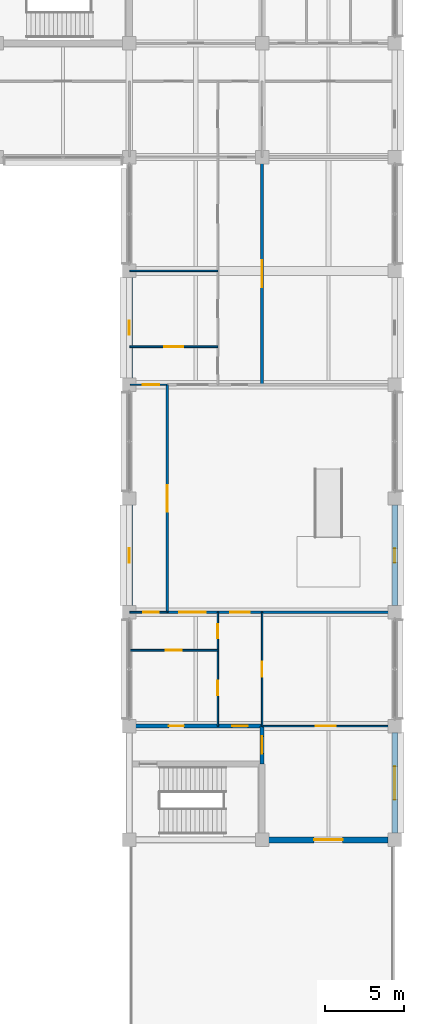
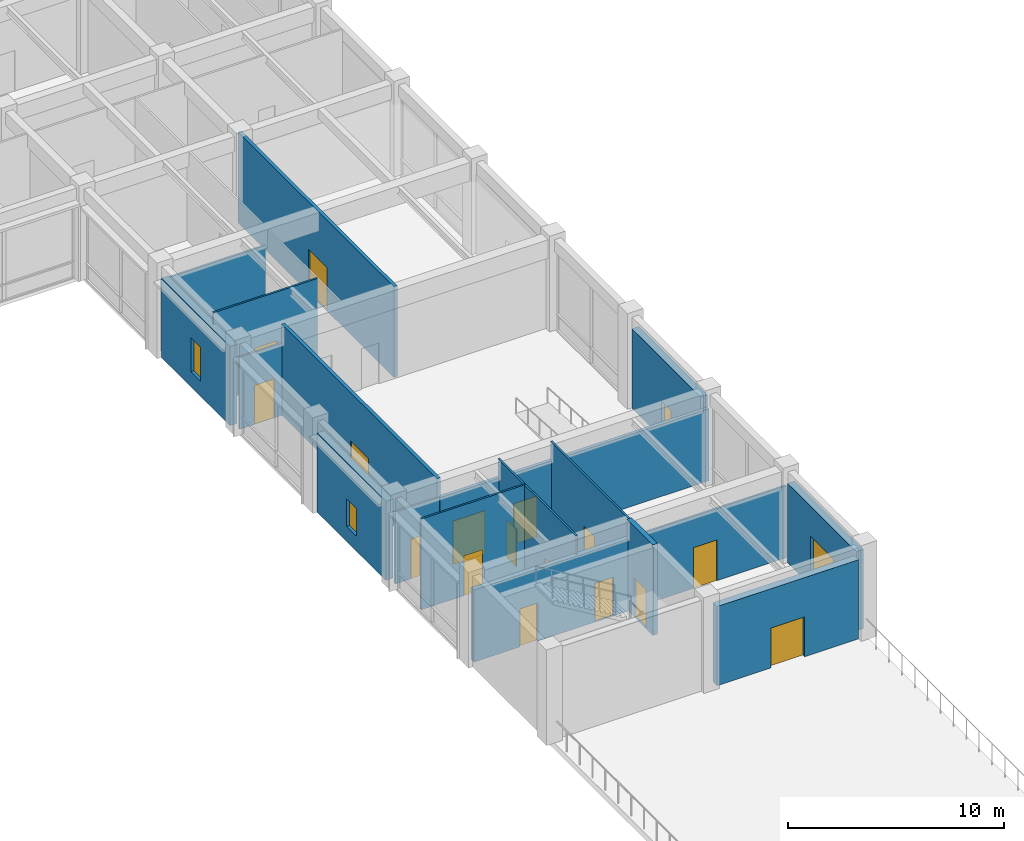
# One storey, part 38 of 51: 18 walls, 16 doors, 4 windows, 20 openings.
"""IFC4 building model written with IfcOpenShell, lengths in metres."""

from ifc_helpers import new_model, si_unit, direction, frame, frame_2d, origin, place, context, subcontext, project, spatial, rectangle, extrude, material, layer, layer_set, type_object, element, fill, save


model = new_model("IFC4")

# Units and contexts
model_context = context("Model", 3, precision=1e-05, world=origin(), true_north=direction((0.0, 1.0)))
body_context = subcontext(model_context, "Body", "Model", "MODEL_VIEW")
ifc_project = project(units=[si_unit("LENGTHUNIT", "METRE"), si_unit("AREAUNIT", "SQUARE_METRE"), si_unit("VOLUMEUNIT", "CUBIC_METRE"), si_unit("PLANEANGLEUNIT", "RADIAN"), si_unit("MASSUNIT", "GRAM", prefix="KILO")], contexts=[model_context])

# Site, building, storey
site_placement = place(None, origin())
site = spatial("IfcSite", under=ifc_project, at=site_placement, CompositionType="ELEMENT")
building_placement = place(site_placement, origin())
building = spatial("IfcBuilding", under=site, at=building_placement, Name="Chengyuan Square Courthouse", CompositionType="ELEMENT")
storey_placement = place(building_placement, frame((0.0, 0.0, 10.800048828125)))
storey = spatial("IfcBuildingStorey", under=building, at=storey_placement, Name="L03", CompositionType="ELEMENT", Elevation=10.800048828125)

# Wall, opening, window
ifc_material_1 = material(Name="Concrete C40", Category="concrete")
ifc_layer_1 = layer(ifc_material_1, 0.3798828125)
ifc_layer_set_1 = layer_set([ifc_layer_1], Name="Concrete C40")
wall_type_1 = type_object("IfcWallType", Name="WL-EW1", PredefinedType="STANDARD", material=ifc_layer_set_1)
wall_1_placement = place(storey_placement, frame((151.199951171875, 50.820068359375, 0.0), z_axis=(0.0, 0.0, 1.0), x_axis=(0.0, 1.0, 0.0)))
wall_1 = element("IfcWall", 1, at=wall_1_placement, inside=storey, type_object=wall_type_1, Name="Exterior Wall WL-L03-E287", PredefinedType="STANDARD", context=body_context, shape_type="SweptSolid", body=[
    extrude(rectangle(XDim=6.35986328125, YDim=0.3798828125, at=frame_2d((3.179931640625, 0.0))), origin(), (0.0, 0.0, 1.0), 4.469970703125),
])
opening_1_placement = place(wall_1_placement, frame((2.72998046875, 0.0, 0.85009765625)))
opening_1 = element("IfcOpeningElement", 2, at=opening_1_placement, cuts=wall_1, Name="Opening WN-074", PredefinedType="OPENING", context=body_context, shape_type="SweptSolid", body=[
    extrude(rectangle(XDim=0.89990234375, YDim=1.56005859375, at=frame_2d((0.449951171875, 0.780029296875))), frame((0.0, 0.201904296875, 0.0), z_axis=(0.0, -1.0, 0.0), x_axis=(1.0, 0.0, 0.0)), (0.0, 0.0, 1.0), 0.40380859375),
])
ifc_material_2 = material(Name="Thermally Broken Aluminium Triple Low-E Window", Category="aluminium")
window_type_1 = type_object("IfcWindowType", Name="WT-03", PartitioningType="SINGLE_PANEL", PredefinedType="WINDOW", material=ifc_material_2)
window_1_placement = place(opening_1_placement, origin())
window_1 = element("IfcWindow", 3, at=window_1_placement, inside=storey, type_object=window_type_1, Name="Facade Window WN-074", OverallHeight=1.56005859375, OverallWidth=0.89990234375, PartitioningType="SINGLE_PANEL", PredefinedType="WINDOW", context=body_context, shape_type="SweptSolid", body=[
    extrude(rectangle(XDim=0.89990234375, YDim=1.56005859375, at=frame_2d((0.449951171875, 0.780029296875))), frame((0.0, 0.030029296875, 0.0), z_axis=(0.0, -1.0, 0.0), x_axis=(1.0, 0.0, 0.0)), (0.0, 0.0, 1.0), 0.06005859375),
])
fill(opening_1, window_1)

wall_2_placement = place(storey_placement, frame((151.199951171875, 65.219970703125, 0.0), z_axis=(0.0, 0.0, 1.0), x_axis=(0.0, 1.0, 0.0)))
wall_2 = element("IfcWall", 4, at=wall_2_placement, inside=storey, type_object=wall_type_1, Name="Exterior Wall WL-L03-E288", PredefinedType="STANDARD", context=body_context, shape_type="SweptSolid", body=[
    extrude(rectangle(XDim=6.360107421875, YDim=0.3798828125, at=frame_2d((3.18017578125, 0.0))), origin(), (0.0, 0.0, 1.0), 4.469970703125),
])
opening_2_placement = place(wall_2_placement, frame((2.72998046875, 0.0, 0.85009765625)))
opening_2 = element("IfcOpeningElement", 5, at=opening_2_placement, cuts=wall_2, Name="Opening WN-075", PredefinedType="OPENING", context=body_context, shape_type="SweptSolid", body=[
    extrude(rectangle(XDim=0.89990234375, YDim=1.919921875, at=frame_2d((0.449951171875, 0.9599609375))), frame((0.0, 0.201904296875, 0.0), z_axis=(0.0, -1.0, 0.0), x_axis=(1.0, 0.0, 0.0)), (0.0, 0.0, 1.0), 0.40380859375),
])
window_type_2 = type_object("IfcWindowType", Name="WT-05", PartitioningType="SINGLE_PANEL", PredefinedType="WINDOW", material=ifc_material_2)
window_2_placement = place(opening_2_placement, origin())
window_2 = element("IfcWindow", 6, at=window_2_placement, inside=storey, type_object=window_type_2, Name="Facade Window WN-075", OverallHeight=1.919921875, OverallWidth=0.89990234375, PartitioningType="SINGLE_PANEL", PredefinedType="WINDOW", context=body_context, shape_type="SweptSolid", body=[
    extrude(rectangle(XDim=0.89990234375, YDim=1.919921875, at=frame_2d((0.449951171875, 0.9599609375))), frame((0.0, 0.030029296875, 0.0), z_axis=(0.0, -1.0, 0.0), x_axis=(1.0, 0.0, 0.0)), (0.0, 0.0, 1.0), 0.06005859375),
])
fill(opening_2, window_2)

# Wall, opening, door
wall_3_placement = place(storey_placement, frame((160.02001953125, 36.0, 0.0), z_axis=(0.0, 0.0, 1.0), x_axis=(1.0, 0.0, 0.0)))
wall_3 = element("IfcWall", 7, at=wall_3_placement, inside=storey, type_object=wall_type_1, Name="Exterior Wall WL-L03-E289", PredefinedType="STANDARD", context=body_context, shape_type="SweptSolid", body=[
    extrude(rectangle(XDim=7.56005859375, YDim=0.3798828125, at=frame_2d((3.780029296875, 0.0))), origin(), (0.0, 0.0, 1.0), 4.469970703125),
])
opening_3_placement = place(wall_3_placement, frame((2.8798828125, 0.0, 0.0)))
opening_3 = element("IfcOpeningElement", 8, at=opening_3_placement, cuts=wall_3, Name="Opening DR-003", PredefinedType="OPENING", context=body_context, shape_type="SweptSolid", body=[
    extrude(rectangle(XDim=1.800048828125, YDim=2.25, at=frame_2d((0.89990234375, 1.125))), frame((0.0, 0.201904296875, 0.0), z_axis=(0.0, -1.0, 0.0), x_axis=(1.0, 0.0, 0.0)), (0.0, 0.0, 1.0), 0.40380859375),
])
ifc_material_3 = material(Name="Thermally Broken Aluminium Terrace Door", Category="aluminium")
door_type_1 = type_object("IfcDoorType", Name="DT-02", OperationType="DOUBLE_DOOR_SINGLE_SWING", PredefinedType="DOOR", material=ifc_material_3)
door_1_placement = place(opening_3_placement, frame((1.800048828125, 0.0, 0.0), z_axis=(0.0, 0.0, 1.0), x_axis=(-1.0, 0.0, 0.0)))
door_1 = element("IfcDoor", 9, at=door_1_placement, inside=storey, type_object=door_type_1, Name="Planted Terrace Access Door DR-003", OperationType="DOUBLE_DOOR_SINGLE_SWING", OverallHeight=2.25, OverallWidth=1.800048828125, PredefinedType="DOOR", context=body_context, shape_type="SweptSolid", body=[
    extrude(rectangle(XDim=1.800048828125, YDim=2.25, at=frame_2d((0.89990234375, 1.125))), frame((0.0, 0.02490234375, 0.0), z_axis=(0.0, -1.0, 0.0), x_axis=(1.0, 0.0, 0.0)), (0.0, 0.0, 1.0), 0.050048828125),
])
fill(opening_3, door_1)

# Wall, opening, window
wall_4_placement = place(storey_placement, frame((168.0, 36.419921875, 0.0), z_axis=(0.0, 0.0, 1.0), x_axis=(0.0, 1.0, 0.0)))
wall_4 = element("IfcWall", 10, at=wall_4_placement, inside=storey, type_object=wall_type_1, Name="Exterior Wall WL-L03-E290", PredefinedType="STANDARD", context=body_context, shape_type="SweptSolid", body=[
    extrude(rectangle(XDim=6.360107421875, YDim=0.3798828125, at=frame_2d((3.18017578125, 0.0))), origin(), (0.0, 0.0, 1.0), 4.469970703125),
])
opening_4_placement = place(wall_4_placement, frame((2.1298828125, 0.0, 0.85009765625)))
opening_4 = element("IfcOpeningElement", 11, at=opening_4_placement, cuts=wall_4, Name="Opening WN-076", PredefinedType="OPENING", context=body_context, shape_type="SweptSolid", body=[
    extrude(rectangle(XDim=2.10009765625, YDim=1.919921875, at=frame_2d((1.050048828125, 0.9599609375))), frame((0.0, 0.201904296875, 0.0), z_axis=(0.0, -1.0, 0.0), x_axis=(1.0, 0.0, 0.0)), (0.0, 0.0, 1.0), 0.40380859375),
])
window_type_3 = type_object("IfcWindowType", Name="WT-41", PartitioningType="SINGLE_PANEL", PredefinedType="WINDOW", material=ifc_material_2)
window_3_placement = place(opening_4_placement, origin())
window_3 = element("IfcWindow", 12, at=window_3_placement, inside=storey, type_object=window_type_3, Name="Facade Window WN-076", OverallHeight=1.919921875, OverallWidth=2.10009765625, PartitioningType="SINGLE_PANEL", PredefinedType="WINDOW", context=body_context, shape_type="SweptSolid", body=[
    extrude(rectangle(XDim=2.10009765625, YDim=1.919921875, at=frame_2d((1.050048828125, 0.9599609375))), frame((0.0, 0.030029296875, 0.0), z_axis=(0.0, -1.0, 0.0), x_axis=(1.0, 0.0, 0.0)), (0.0, 0.0, 1.0), 0.06005859375),
])
fill(opening_4, window_3)

wall_5_placement = place(storey_placement, frame((168.0, 50.820068359375, 0.0), z_axis=(0.0, 0.0, 1.0), x_axis=(0.0, 1.0, 0.0)))
wall_5 = element("IfcWall", 13, at=wall_5_placement, inside=storey, type_object=wall_type_1, Name="Exterior Wall WL-L03-E291", PredefinedType="STANDARD", context=body_context, shape_type="SweptSolid", body=[
    extrude(rectangle(XDim=6.35986328125, YDim=0.3798828125, at=frame_2d((3.179931640625, 0.0))), origin(), (0.0, 0.0, 1.0), 4.469970703125),
])
opening_5_placement = place(wall_5_placement, frame((2.72998046875, 0.0, 0.85009765625)))
opening_5 = element("IfcOpeningElement", 14, at=opening_5_placement, cuts=wall_5, Name="Opening WN-077", PredefinedType="OPENING", context=body_context, shape_type="SweptSolid", body=[
    extrude(rectangle(XDim=0.89990234375, YDim=1.199951171875, at=frame_2d((0.449951171875, 0.60009765625))), frame((0.0, 0.201904296875, 0.0), z_axis=(0.0, -1.0, 0.0), x_axis=(1.0, 0.0, 0.0)), (0.0, 0.0, 1.0), 0.40380859375),
])
window_type_4 = type_object("IfcWindowType", Name="WT-01", PartitioningType="SINGLE_PANEL", PredefinedType="WINDOW", material=ifc_material_2)
window_4_placement = place(opening_5_placement, origin())
window_4 = element("IfcWindow", 15, at=window_4_placement, inside=storey, type_object=window_type_4, Name="Facade Window WN-077", OverallHeight=1.199951171875, OverallWidth=0.89990234375, PartitioningType="SINGLE_PANEL", PredefinedType="WINDOW", context=body_context, shape_type="SweptSolid", body=[
    extrude(rectangle(XDim=0.89990234375, YDim=1.199951171875, at=frame_2d((0.449951171875, 0.60009765625))), frame((0.0, 0.030029296875, 0.0), z_axis=(0.0, -1.0, 0.0), x_axis=(1.0, 0.0, 0.0)), (0.0, 0.0, 1.0), 0.06005859375),
])
fill(opening_5, window_4)

# Wall, openings, doors
ifc_layer_2 = layer(ifc_material_1, 0.25)
ifc_layer_set_2 = layer_set([ifc_layer_2], Name="Concrete C40")
wall_type_2 = type_object("IfcWallType", Name="WL-FW1", PredefinedType="STANDARD", material=ifc_layer_set_2)
wall_6_placement = place(storey_placement, frame((151.239990234375, 43.199951171875, 0.0), z_axis=(0.0, 0.0, 1.0), x_axis=(1.0, 0.0, 0.0)))
wall_6 = element("IfcWall", 16, at=wall_6_placement, inside=storey, type_object=wall_type_2, Name="Interior Wall WL-L03-I1392", PredefinedType="STANDARD", context=body_context, shape_type="SweptSolid", body=[
    extrude(rectangle(XDim=8.360107421875, YDim=0.25, at=frame_2d((4.18017578125, 0.0))), origin(), (0.0, 0.0, 1.0), 4.070068359375),
])
opening_6_placement = place(wall_6_placement, frame((6.4599609375, 0.0, 0.0)))
opening_6 = element("IfcOpeningElement", 17, at=opening_6_placement, cuts=wall_6, Name="Opening DR-1348", PredefinedType="OPENING", context=body_context, shape_type="SweptSolid", body=[
    extrude(rectangle(XDim=1.0, YDim=2.199951171875, at=frame_2d((0.5, 1.10009765625))), frame((0.0, 0.136962890625, 0.0), z_axis=(0.0, -1.0, 0.0), x_axis=(1.0, 0.0, 0.0)), (0.0, 0.0, 1.0), 0.27392578125),
])
opening_7_placement = place(wall_6_placement, frame((2.45751953125, 0.0, 0.0)))
opening_7 = element("IfcOpeningElement", 18, at=opening_7_placement, cuts=wall_6, Name="Opening DR-1349", PredefinedType="OPENING", context=body_context, shape_type="SweptSolid", body=[
    extrude(rectangle(XDim=0.949951171875, YDim=2.14990234375, at=frame_2d((0.47509765625, 1.074951171875))), frame((0.0, 0.136962890625, 0.0), z_axis=(0.0, -1.0, 0.0), x_axis=(1.0, 0.0, 0.0)), (0.0, 0.0, 1.0), 0.27392578125),
])
ifc_material_4 = material(Name="Steel Q235B Fire Door", Category="steel")
door_type_2 = type_object("IfcDoorType", Name="DT-11", OperationType="NOTDEFINED", PredefinedType="DOOR", material=ifc_material_4)
door_2_placement = place(opening_6_placement, origin())
door_2 = element("IfcDoor", 19, at=door_2_placement, inside=storey, type_object=door_type_2, Name="Interior Door DR-1348", OperationType="SINGLE_SWING_LEFT", OverallHeight=2.199951171875, OverallWidth=1.0, PredefinedType="DOOR", context=body_context, shape_type="SweptSolid", body=[
    extrude(rectangle(XDim=1.0, YDim=2.199951171875, at=frame_2d((0.5, 1.10009765625))), frame((0.0, 0.02490234375, 0.0), z_axis=(0.0, -1.0, 0.0), x_axis=(1.0, 0.0, 0.0)), (0.0, 0.0, 1.0), 0.050048828125),
])
fill(opening_6, door_2)
door_type_3 = type_object("IfcDoorType", Name="DT-12", OperationType="NOTDEFINED", PredefinedType="DOOR", material=ifc_material_4)
door_3_placement = place(opening_7_placement, origin())
door_3 = element("IfcDoor", 20, at=door_3_placement, inside=storey, type_object=door_type_3, Name="Interior Door DR-1349", OperationType="SINGLE_SWING_RIGHT", OverallHeight=2.14990234375, OverallWidth=0.949951171875, PredefinedType="DOOR", context=body_context, shape_type="SweptSolid", body=[
    extrude(rectangle(XDim=0.949951171875, YDim=2.14990234375, at=frame_2d((0.47509765625, 1.074951171875))), frame((0.0, 0.02490234375, 0.0), z_axis=(0.0, -1.0, 0.0), x_axis=(1.0, 0.0, 0.0)), (0.0, 0.0, 1.0), 0.050048828125),
])
fill(opening_7, door_3)

# Wall, opening, door
wall_7_placement = place(storey_placement, frame((159.60009765625, 40.800048828125, 0.0), z_axis=(0.0, 0.0, 1.0), x_axis=(0.0, 1.0, 0.0)))
wall_7 = element("IfcWall", 21, at=wall_7_placement, inside=storey, type_object=wall_type_2, Name="Interior Wall WL-L03-I1726", PredefinedType="STANDARD", context=body_context, shape_type="SweptSolid", body=[
    extrude(rectangle(XDim=2.39990234375, YDim=0.25, at=frame_2d((1.199951171875, 0.0))), origin(), (0.0, 0.0, 1.0), 5.119873046875),
])
opening_8_placement = place(wall_7_placement, frame((0.64990234375, 0.0, 0.0)))
opening_8 = element("IfcOpeningElement", 22, at=opening_8_placement, cuts=wall_7, Name="Opening DR-1350", PredefinedType="OPENING", context=body_context, shape_type="SweptSolid", body=[
    extrude(rectangle(XDim=1.10009765625, YDim=2.199951171875, at=frame_2d((0.550048828125, 1.10009765625))), frame((0.0, 0.136962890625, 0.0), z_axis=(0.0, -1.0, 0.0), x_axis=(1.0, 0.0, 0.0)), (0.0, 0.0, 1.0), 0.27392578125),
])
door_type_4 = type_object("IfcDoorType", Name="DT-10", OperationType="NOTDEFINED", PredefinedType="DOOR", material=ifc_material_4)
door_4_placement = place(opening_8_placement, origin())
door_4 = element("IfcDoor", 23, at=door_4_placement, inside=storey, type_object=door_type_4, Name="Interior Door DR-1350", OperationType="SINGLE_SWING_LEFT", OverallHeight=2.199951171875, OverallWidth=1.10009765625, PredefinedType="DOOR", context=body_context, shape_type="SweptSolid", body=[
    extrude(rectangle(XDim=1.10009765625, YDim=2.199951171875, at=frame_2d((0.550048828125, 1.10009765625))), frame((0.0, 0.02490234375, 0.0), z_axis=(0.0, -1.0, 0.0), x_axis=(1.0, 0.0, 0.0)), (0.0, 0.0, 1.0), 0.050048828125),
])
fill(opening_8, door_4)

# Wall, openings, doors
ifc_material_5 = material(Name="Double-Stud Acoustic Gypsum Courtroom Partition")
ifc_layer_3 = layer(ifc_material_5, 0.179931640625)
ifc_layer_set_3 = layer_set([ifc_layer_3], Name="Double-Stud Acoustic Gypsum Courtroom Partition")
wall_type_3 = type_object("IfcWallType", Name="WL-PT1", PredefinedType="STANDARD", material=ifc_layer_set_3)
wall_8_placement = place(storey_placement, frame((153.60009765625, 50.39990234375, 0.0), z_axis=(0.0, 0.0, 1.0), x_axis=(1.0, 0.0, 0.0)))
wall_8 = element("IfcWall", 24, at=wall_8_placement, inside=storey, type_object=wall_type_3, Name="Interior Wall WL-L03-I1399", PredefinedType="STANDARD", context=body_context, shape_type="SweptSolid", body=[
    extrude(rectangle(XDim=14.35986328125, YDim=0.179931640625, at=frame_2d((7.179931640625, 0.0))), origin(), (0.0, 0.0, 1.0), 4.070068359375),
])
opening_9_placement = place(wall_8_placement, frame((3.97998046875, 0.0, 0.0)))
opening_9 = element("IfcOpeningElement", 25, at=opening_9_placement, cuts=wall_8, Name="Opening DR-1367", PredefinedType="OPENING", context=body_context, shape_type="SweptSolid", body=[
    extrude(rectangle(XDim=1.239990234375, YDim=2.300048828125, at=frame_2d((0.6201171875, 1.14990234375))), frame((0.0, 0.10205078125, 0.0), z_axis=(0.0, -1.0, 0.0), x_axis=(1.0, 0.0, 0.0)), (0.0, 0.0, 1.0), 0.203857421875),
])
opening_10_placement = place(wall_8_placement, frame((0.75, 0.0, 0.0)))
opening_10 = element("IfcOpeningElement", 26, at=opening_10_placement, cuts=wall_8, Name="Opening DR-1368", PredefinedType="OPENING", context=body_context, shape_type="SweptSolid", body=[
    extrude(rectangle(XDim=1.699951171875, YDim=2.449951171875, at=frame_2d((0.85009765625, 1.22509765625))), frame((0.0, 0.10205078125, 0.0), z_axis=(0.0, -1.0, 0.0), x_axis=(1.0, 0.0, 0.0)), (0.0, 0.0, 1.0), 0.203857421875),
])
ifc_material_6 = material(Name="Acoustic Larch Veneer Double Door")
door_type_5 = type_object("IfcDoorType", Name="DT-24", OperationType="DOUBLE_DOOR_SINGLE_SWING", PredefinedType="DOOR", material=ifc_material_6)
door_5_placement = place(opening_10_placement, frame((1.699951171875, 0.0, 0.0), z_axis=(0.0, 0.0, 1.0), x_axis=(-1.0, 0.0, 0.0)))
door_5 = element("IfcDoor", 27, at=door_5_placement, inside=storey, type_object=door_type_5, Name="Interior Door DR-1368", OperationType="DOUBLE_DOOR_SINGLE_SWING", OverallHeight=2.449951171875, OverallWidth=1.699951171875, PredefinedType="DOOR", context=body_context, shape_type="SweptSolid", body=[
    extrude(rectangle(XDim=1.699951171875, YDim=2.449951171875, at=frame_2d((0.85009765625, 1.22509765625))), frame((0.0, 0.02490234375, 0.0), z_axis=(0.0, -1.0, 0.0), x_axis=(1.0, 0.0, 0.0)), (0.0, 0.0, 1.0), 0.050048828125),
])
fill(opening_10, door_5)
ifc_material_7 = material(Name="Acoustic Solid-Core Timber Door", Category="wood")
door_type_6 = type_object("IfcDoorType", Name="DT-37", OperationType="NOTDEFINED", PredefinedType="DOOR", material=ifc_material_7)
door_6_placement = place(opening_9_placement, origin())
door_6 = element("IfcDoor", 28, at=door_6_placement, inside=storey, type_object=door_type_6, Name="Interior Door DR-1367", OperationType="SINGLE_SWING_RIGHT", OverallHeight=2.300048828125, OverallWidth=1.239990234375, PredefinedType="DOOR", context=body_context, shape_type="SweptSolid", body=[
    extrude(rectangle(XDim=1.239990234375, YDim=2.300048828125, at=frame_2d((0.6201171875, 1.14990234375))), frame((0.0, 0.02490234375, 0.0), z_axis=(0.0, -1.0, 0.0), x_axis=(1.0, 0.0, 0.0)), (0.0, 0.0, 1.0), 0.050048828125),
])
fill(opening_9, door_6)

# Wall, opening, door
wall_9_placement = place(storey_placement, frame((153.60009765625, 50.39990234375, 0.0), z_axis=(0.0, 0.0, 1.0), x_axis=(0.0, 1.0, 0.0)))
wall_9 = element("IfcWall", 29, at=wall_9_placement, inside=storey, type_object=wall_type_3, Name="Interior Wall WL-L03-I1722", PredefinedType="STANDARD", context=body_context, shape_type="SweptSolid", body=[
    extrude(rectangle(XDim=14.400146484375, YDim=0.179931640625, at=frame_2d((7.2001953125, 0.0))), origin(), (0.0, 0.0, 1.0), 5.119873046875),
])
opening_11_placement = place(wall_9_placement, frame((6.375, 0.0, 0.0)))
opening_11 = element("IfcOpeningElement", 30, at=opening_11_placement, cuts=wall_9, Name="Opening DR-1360", PredefinedType="OPENING", context=body_context, shape_type="SweptSolid", body=[
    extrude(rectangle(XDim=1.64990234375, YDim=2.39990234375, at=frame_2d((0.824951171875, 1.199951171875))), frame((0.0, 0.10205078125, 0.0), z_axis=(0.0, -1.0, 0.0), x_axis=(1.0, 0.0, 0.0)), (0.0, 0.0, 1.0), 0.203857421875),
])
door_type_7 = type_object("IfcDoorType", Name="DT-22", OperationType="DOUBLE_DOOR_SINGLE_SWING", PredefinedType="DOOR", material=ifc_material_6)
door_7_placement = place(opening_11_placement, frame((1.64990234375, 0.0, 0.0), z_axis=(0.0, 0.0, 1.0), x_axis=(-1.0, 0.0, 0.0)))
door_7 = element("IfcDoor", 31, at=door_7_placement, inside=storey, type_object=door_type_7, Name="Interior Door DR-1360", OperationType="DOUBLE_DOOR_SINGLE_SWING", OverallHeight=2.39990234375, OverallWidth=1.64990234375, PredefinedType="DOOR", context=body_context, shape_type="SweptSolid", body=[
    extrude(rectangle(XDim=1.64990234375, YDim=2.39990234375, at=frame_2d((0.824951171875, 1.199951171875))), frame((0.0, 0.02490234375, 0.0), z_axis=(0.0, -1.0, 0.0), x_axis=(1.0, 0.0, 0.0)), (0.0, 0.0, 1.0), 0.050048828125),
])
fill(opening_11, door_7)

wall_10_placement = place(storey_placement, frame((159.60009765625, 64.800048828125, 0.0), z_axis=(0.0, 0.0, 1.0), x_axis=(0.0, 1.0, 0.0)))
wall_10 = element("IfcWall", 32, at=wall_10_placement, inside=storey, type_object=wall_type_3, Name="Interior Wall WL-L03-I1728", PredefinedType="STANDARD", context=body_context, shape_type="SweptSolid", body=[
    extrude(rectangle(XDim=14.39990234375, YDim=0.179931640625, at=frame_2d((7.199951171875, 0.0))), origin(), (0.0, 0.0, 1.0), 5.119873046875),
])
opening_12_placement = place(wall_10_placement, frame((6.177490234375, 0.0, 0.0)))
opening_12 = element("IfcOpeningElement", 33, at=opening_12_placement, cuts=wall_10, Name="Opening DR-1620", PredefinedType="OPENING", context=body_context, shape_type="SweptSolid", body=[
    extrude(rectangle(XDim=1.699951171875, YDim=2.449951171875, at=frame_2d((0.85009765625, 1.22509765625))), frame((0.0, 0.10205078125, 0.0), z_axis=(0.0, -1.0, 0.0), x_axis=(1.0, 0.0, 0.0)), (0.0, 0.0, 1.0), 0.203857421875),
])
door_8_placement = place(opening_12_placement, frame((1.699951171875, 0.0, 0.0), z_axis=(0.0, 0.0, 1.0), x_axis=(-1.0, 0.0, 0.0)))
door_8 = element("IfcDoor", 34, at=door_8_placement, inside=storey, type_object=door_type_5, Name="Interior Door DR-1620", OperationType="DOUBLE_DOOR_SINGLE_SWING", OverallHeight=2.449951171875, OverallWidth=1.699951171875, PredefinedType="DOOR", context=body_context, shape_type="SweptSolid", body=[
    extrude(rectangle(XDim=1.699951171875, YDim=2.449951171875, at=frame_2d((0.85009765625, 1.22509765625))), frame((0.0, 0.02490234375, 0.0), z_axis=(0.0, -1.0, 0.0), x_axis=(1.0, 0.0, 0.0)), (0.0, 0.0, 1.0), 0.050048828125),
])
fill(opening_12, door_8)

ifc_material_8 = material(Name="Gypsum Plasterboard Acoustic Stud Partition")
ifc_layer_4 = layer(ifc_material_8, 0.10009765625)
ifc_layer_set_4 = layer_set([ifc_layer_4], Name="Gypsum Plasterboard Acoustic Stud Partition")
wall_type_4 = type_object("IfcWallType", Name="WL-PT6", PredefinedType="STANDARD", material=ifc_layer_set_4)
wall_11_placement = place(storey_placement, frame((159.60009765625, 43.199951171875, 0.0), z_axis=(0.0, 0.0, 1.0), x_axis=(1.0, 0.0, 0.0)))
wall_11 = element("IfcWall", 35, at=wall_11_placement, inside=storey, type_object=wall_type_4, Name="Interior Wall WL-L03-I1393", PredefinedType="STANDARD", context=body_context, shape_type="SweptSolid", body=[
    extrude(rectangle(XDim=8.35986328125, YDim=0.10009765625, at=frame_2d((4.179931640625, 0.0))), origin(), (0.0, 0.0, 1.0), 4.070068359375),
])
opening_13_placement = place(wall_11_placement, frame((3.407470703125, 0.0, 0.0)))
opening_13 = element("IfcOpeningElement", 36, at=opening_13_placement, cuts=wall_11, Name="Opening DR-1622", PredefinedType="OPENING", context=body_context, shape_type="SweptSolid", body=[
    extrude(rectangle(XDim=1.239990234375, YDim=2.300048828125, at=frame_2d((0.6201171875, 1.14990234375))), frame((0.0, 0.06201171875, 0.0), z_axis=(0.0, -1.0, 0.0), x_axis=(1.0, 0.0, 0.0)), (0.0, 0.0, 1.0), 0.1240234375),
])
door_9_placement = place(opening_13_placement, origin())
door_9 = element("IfcDoor", 37, at=door_9_placement, inside=storey, type_object=door_type_6, Name="Interior Door DR-1622", OperationType="SINGLE_SWING_RIGHT", OverallHeight=2.300048828125, OverallWidth=1.239990234375, PredefinedType="DOOR", context=body_context, shape_type="SweptSolid", body=[
    extrude(rectangle(XDim=1.239990234375, YDim=2.300048828125, at=frame_2d((0.6201171875, 1.14990234375))), frame((0.0, 0.02490234375, 0.0), z_axis=(0.0, -1.0, 0.0), x_axis=(1.0, 0.0, 0.0)), (0.0, 0.0, 1.0), 0.050048828125),
])
fill(opening_13, door_9)

wall_12_placement = place(storey_placement, frame((151.239990234375, 48.0, 0.0), z_axis=(0.0, 0.0, 1.0), x_axis=(1.0, 0.0, 0.0)))
wall_12 = element("IfcWall", 38, at=wall_12_placement, inside=storey, type_object=wall_type_4, Name="Interior Wall WL-L03-I1395", PredefinedType="STANDARD", context=body_context, shape_type="SweptSolid", body=[
    extrude(rectangle(XDim=5.56005859375, YDim=0.10009765625, at=frame_2d((2.780029296875, 0.0))), origin(), (0.0, 0.0, 1.0), 5.119873046875),
])
opening_14_placement = place(wall_12_placement, frame((2.280029296875, 0.0, 0.0)))
opening_14 = element("IfcOpeningElement", 39, at=opening_14_placement, cuts=wall_12, Name="Opening DR-1616", PredefinedType="OPENING", context=body_context, shape_type="SweptSolid", body=[
    extrude(rectangle(XDim=1.0, YDim=2.25, at=frame_2d((0.5, 1.125))), frame((0.0, 0.06201171875, 0.0), z_axis=(0.0, -1.0, 0.0), x_axis=(1.0, 0.0, 0.0)), (0.0, 0.0, 1.0), 0.1240234375),
])
door_type_8 = type_object("IfcDoorType", Name="DT-31", OperationType="NOTDEFINED", PredefinedType="DOOR", material=ifc_material_7)
door_10_placement = place(opening_14_placement, origin())
door_10 = element("IfcDoor", 40, at=door_10_placement, inside=storey, type_object=door_type_8, Name="Interior Door DR-1616", OperationType="SINGLE_SWING_LEFT", OverallHeight=2.25, OverallWidth=1.0, PredefinedType="DOOR", context=body_context, shape_type="SweptSolid", body=[
    extrude(rectangle(XDim=1.0, YDim=2.25, at=frame_2d((0.5, 1.125))), frame((0.0, 0.02490234375, 0.0), z_axis=(0.0, -1.0, 0.0), x_axis=(1.0, 0.0, 0.0)), (0.0, 0.0, 1.0), 0.050048828125),
])
fill(opening_14, door_10)

wall_13_placement = place(storey_placement, frame((151.239990234375, 50.39990234375, 0.0), z_axis=(0.0, 0.0, 1.0), x_axis=(1.0, 0.0, 0.0)))
wall_13 = element("IfcWall", 41, at=wall_13_placement, inside=storey, type_object=wall_type_4, Name="Interior Wall WL-L03-I1398", PredefinedType="STANDARD", context=body_context, shape_type="SweptSolid", body=[
    extrude(rectangle(XDim=2.360107421875, YDim=0.10009765625, at=frame_2d((1.18017578125, 0.0))), origin(), (0.0, 0.0, 1.0), 4.070068359375),
])
opening_15_placement = place(wall_13_placement, frame((0.83251953125, 0.0, 0.0)))
opening_15 = element("IfcOpeningElement", 42, at=opening_15_placement, cuts=wall_13, Name="Opening DR-1361", PredefinedType="OPENING", context=body_context, shape_type="SweptSolid", body=[
    extrude(rectangle(XDim=1.0, YDim=2.25, at=frame_2d((0.5, 1.125))), frame((0.0, 0.06201171875, 0.0), z_axis=(0.0, -1.0, 0.0), x_axis=(1.0, 0.0, 0.0)), (0.0, 0.0, 1.0), 0.1240234375),
])
door_11_placement = place(opening_15_placement, origin())
door_11 = element("IfcDoor", 43, at=door_11_placement, inside=storey, type_object=door_type_8, Name="Interior Door DR-1361", OperationType="SINGLE_SWING_RIGHT", OverallHeight=2.25, OverallWidth=1.0, PredefinedType="DOOR", context=body_context, shape_type="SweptSolid", body=[
    extrude(rectangle(XDim=1.0, YDim=2.25, at=frame_2d((0.5, 1.125))), frame((0.0, 0.02490234375, 0.0), z_axis=(0.0, -1.0, 0.0), x_axis=(1.0, 0.0, 0.0)), (0.0, 0.0, 1.0), 0.050048828125),
])
fill(opening_15, door_11)

wall_14_placement = place(storey_placement, frame((151.239990234375, 64.800048828125, 0.0), z_axis=(0.0, 0.0, 1.0), x_axis=(1.0, 0.0, 0.0)))
wall_14 = element("IfcWall", 44, at=wall_14_placement, inside=storey, type_object=wall_type_4, Name="Interior Wall WL-L03-I1402", PredefinedType="STANDARD", context=body_context, shape_type="SweptSolid", body=[
    extrude(rectangle(XDim=2.360107421875, YDim=0.10009765625, at=frame_2d((1.18017578125, 0.0))), origin(), (0.0, 0.0, 1.0), 4.070068359375),
])
opening_16_placement = place(wall_14_placement, frame((0.8125, 0.0, 0.0)))
opening_16 = element("IfcOpeningElement", 45, at=opening_16_placement, cuts=wall_14, Name="Opening DR-1362", PredefinedType="OPENING", context=body_context, shape_type="SweptSolid", body=[
    extrude(rectangle(XDim=1.0400390625, YDim=2.199951171875, at=frame_2d((0.52001953125, 1.10009765625))), frame((0.0, 0.06201171875, 0.0), z_axis=(0.0, -1.0, 0.0), x_axis=(1.0, 0.0, 0.0)), (0.0, 0.0, 1.0), 0.1240234375),
])
door_type_9 = type_object("IfcDoorType", Name="DT-32", OperationType="NOTDEFINED", PredefinedType="DOOR", material=ifc_material_7)
door_12_placement = place(opening_16_placement, origin())
door_12 = element("IfcDoor", 46, at=door_12_placement, inside=storey, type_object=door_type_9, Name="Interior Door DR-1362", OperationType="SINGLE_SWING_LEFT", OverallHeight=2.199951171875, OverallWidth=1.0400390625, PredefinedType="DOOR", context=body_context, shape_type="SweptSolid", body=[
    extrude(rectangle(XDim=1.0400390625, YDim=2.199951171875, at=frame_2d((0.52001953125, 1.10009765625))), frame((0.0, 0.02490234375, 0.0), z_axis=(0.0, -1.0, 0.0), x_axis=(1.0, 0.0, 0.0)), (0.0, 0.0, 1.0), 0.050048828125),
])
fill(opening_16, door_12)

wall_15_placement = place(storey_placement, frame((151.239990234375, 67.199951171875, 0.0), z_axis=(0.0, 0.0, 1.0), x_axis=(1.0, 0.0, 0.0)))
wall_15 = element("IfcWall", 47, at=wall_15_placement, inside=storey, type_object=wall_type_4, Name="Interior Wall WL-L03-I1405", PredefinedType="STANDARD", context=body_context, shape_type="SweptSolid", body=[
    extrude(rectangle(XDim=5.56005859375, YDim=0.10009765625, at=frame_2d((2.780029296875, 0.0))), origin(), (0.0, 0.0, 1.0), 5.119873046875),
])
opening_17_placement = place(wall_15_placement, frame((2.179931640625, 0.0, 0.0)))
opening_17 = element("IfcOpeningElement", 48, at=opening_17_placement, cuts=wall_15, Name="Opening DR-1621", PredefinedType="OPENING", context=body_context, shape_type="SweptSolid", body=[
    extrude(rectangle(XDim=1.199951171875, YDim=2.35009765625, at=frame_2d((0.60009765625, 1.175048828125))), frame((0.0, 0.06201171875, 0.0), z_axis=(0.0, -1.0, 0.0), x_axis=(1.0, 0.0, 0.0)), (0.0, 0.0, 1.0), 0.1240234375),
])
door_type_10 = type_object("IfcDoorType", Name="DT-36", OperationType="NOTDEFINED", PredefinedType="DOOR", material=ifc_material_7)
door_13_placement = place(opening_17_placement, origin())
door_13 = element("IfcDoor", 49, at=door_13_placement, inside=storey, type_object=door_type_10, Name="Interior Door DR-1621", OperationType="SINGLE_SWING_LEFT", OverallHeight=2.35009765625, OverallWidth=1.199951171875, PredefinedType="DOOR", context=body_context, shape_type="SweptSolid", body=[
    extrude(rectangle(XDim=1.199951171875, YDim=2.35009765625, at=frame_2d((0.60009765625, 1.175048828125))), frame((0.0, 0.02490234375, 0.0), z_axis=(0.0, -1.0, 0.0), x_axis=(1.0, 0.0, 0.0)), (0.0, 0.0, 1.0), 0.050048828125),
])
fill(opening_17, door_13)

# Wall
wall_16_placement = place(storey_placement, frame((151.239990234375, 72.0, 0.0), z_axis=(0.0, 0.0, 1.0), x_axis=(1.0, 0.0, 0.0)))
element("IfcWall", 50, at=wall_16_placement, inside=storey, type_object=wall_type_4, Name="Interior Wall WL-L03-I1407", PredefinedType="STANDARD", context=body_context, shape_type="SweptSolid", body=[
    extrude(rectangle(XDim=5.56005859375, YDim=0.10009765625, at=frame_2d((2.780029296875, 0.0))), origin(), (0.0, 0.0, 1.0), 4.070068359375),
])

# Wall, openings, doors
wall_17_placement = place(storey_placement, frame((156.800048828125, 43.199951171875, 0.0), z_axis=(0.0, 0.0, 1.0), x_axis=(0.0, 1.0, 0.0)))
wall_17 = element("IfcWall", 51, at=wall_17_placement, inside=storey, type_object=wall_type_4, Name="Interior Wall WL-L03-I1723", PredefinedType="STANDARD", context=body_context, shape_type="SweptSolid", body=[
    extrude(rectangle(XDim=7.199951171875, YDim=0.10009765625, at=frame_2d((3.60009765625, 0.0))), origin(), (0.0, 0.0, 1.0), 5.119873046875),
])
opening_18_placement = place(wall_17_placement, frame((5.570068359375, 0.0, 0.0)))
opening_18 = element("IfcOpeningElement", 52, at=opening_18_placement, cuts=wall_17, Name="Opening DR-1613", PredefinedType="OPENING", context=body_context, shape_type="SweptSolid", body=[
    extrude(rectangle(XDim=0.860107421875, YDim=2.10009765625, at=frame_2d((0.43017578125, 1.050048828125))), frame((0.0, 0.06201171875, 0.0), z_axis=(0.0, -1.0, 0.0), x_axis=(1.0, 0.0, 0.0)), (0.0, 0.0, 1.0), 0.1240234375),
])
opening_19_placement = place(wall_17_placement, frame((1.93994140625, 0.0, 0.0)))
opening_19 = element("IfcOpeningElement", 53, at=opening_19_placement, cuts=wall_17, Name="Opening DR-1614", PredefinedType="OPENING", context=body_context, shape_type="SweptSolid", body=[
    extrude(rectangle(XDim=0.919921875, YDim=2.14990234375, at=frame_2d((0.4599609375, 1.074951171875))), frame((0.0, 0.06201171875, 0.0), z_axis=(0.0, -1.0, 0.0), x_axis=(1.0, 0.0, 0.0)), (0.0, 0.0, 1.0), 0.1240234375),
])
door_type_11 = type_object("IfcDoorType", Name="DT-28", OperationType="NOTDEFINED", PredefinedType="DOOR", material=ifc_material_7)
door_14_placement = place(opening_18_placement, origin())
door_14 = element("IfcDoor", 54, at=door_14_placement, inside=storey, type_object=door_type_11, Name="Interior Door DR-1613", OperationType="SINGLE_SWING_RIGHT", OverallHeight=2.10009765625, OverallWidth=0.860107421875, PredefinedType="DOOR", context=body_context, shape_type="SweptSolid", body=[
    extrude(rectangle(XDim=0.860107421875, YDim=2.10009765625, at=frame_2d((0.43017578125, 1.050048828125))), frame((0.0, 0.02490234375, 0.0), z_axis=(0.0, -1.0, 0.0), x_axis=(1.0, 0.0, 0.0)), (0.0, 0.0, 1.0), 0.050048828125),
])
fill(opening_18, door_14)
door_type_12 = type_object("IfcDoorType", Name="DT-29", OperationType="NOTDEFINED", PredefinedType="DOOR", material=ifc_material_7)
door_15_placement = place(opening_19_placement, origin())
door_15 = element("IfcDoor", 55, at=door_15_placement, inside=storey, type_object=door_type_12, Name="Interior Door DR-1614", OperationType="SINGLE_SWING_LEFT", OverallHeight=2.14990234375, OverallWidth=0.919921875, PredefinedType="DOOR", context=body_context, shape_type="SweptSolid", body=[
    extrude(rectangle(XDim=0.919921875, YDim=2.14990234375, at=frame_2d((0.4599609375, 1.074951171875))), frame((0.0, 0.02490234375, 0.0), z_axis=(0.0, -1.0, 0.0), x_axis=(1.0, 0.0, 0.0)), (0.0, 0.0, 1.0), 0.050048828125),
])
fill(opening_19, door_15)

# Wall, opening, door
wall_18_placement = place(storey_placement, frame((159.60009765625, 43.199951171875, 0.0), z_axis=(0.0, 0.0, 1.0), x_axis=(0.0, 1.0, 0.0)))
wall_18 = element("IfcWall", 56, at=wall_18_placement, inside=storey, type_object=wall_type_4, Name="Interior Wall WL-L03-I1727", PredefinedType="STANDARD", context=body_context, shape_type="SweptSolid", body=[
    extrude(rectangle(XDim=7.199951171875, YDim=0.10009765625, at=frame_2d((3.60009765625, 0.0))), origin(), (0.0, 0.0, 1.0), 5.119873046875),
])
opening_20_placement = place(wall_18_placement, frame((3.1201171875, 0.0, 0.0)))
opening_20 = element("IfcOpeningElement", 57, at=opening_20_placement, cuts=wall_18, Name="Opening DR-1615", PredefinedType="OPENING", context=body_context, shape_type="SweptSolid", body=[
    extrude(rectangle(XDim=0.9599609375, YDim=2.199951171875, at=frame_2d((0.47998046875, 1.10009765625))), frame((0.0, 0.06201171875, 0.0), z_axis=(0.0, -1.0, 0.0), x_axis=(1.0, 0.0, 0.0)), (0.0, 0.0, 1.0), 0.1240234375),
])
door_type_13 = type_object("IfcDoorType", Name="DT-30", OperationType="NOTDEFINED", PredefinedType="DOOR", material=ifc_material_7)
door_16_placement = place(opening_20_placement, origin())
door_16 = element("IfcDoor", 58, at=door_16_placement, inside=storey, type_object=door_type_13, Name="Interior Door DR-1615", OperationType="SINGLE_SWING_RIGHT", OverallHeight=2.199951171875, OverallWidth=0.9599609375, PredefinedType="DOOR", context=body_context, shape_type="SweptSolid", body=[
    extrude(rectangle(XDim=0.9599609375, YDim=2.199951171875, at=frame_2d((0.47998046875, 1.10009765625))), frame((0.0, 0.02490234375, 0.0), z_axis=(0.0, -1.0, 0.0), x_axis=(1.0, 0.0, 0.0)), (0.0, 0.0, 1.0), 0.050048828125),
])
fill(opening_20, door_16)

save(model, "model.ifc")
